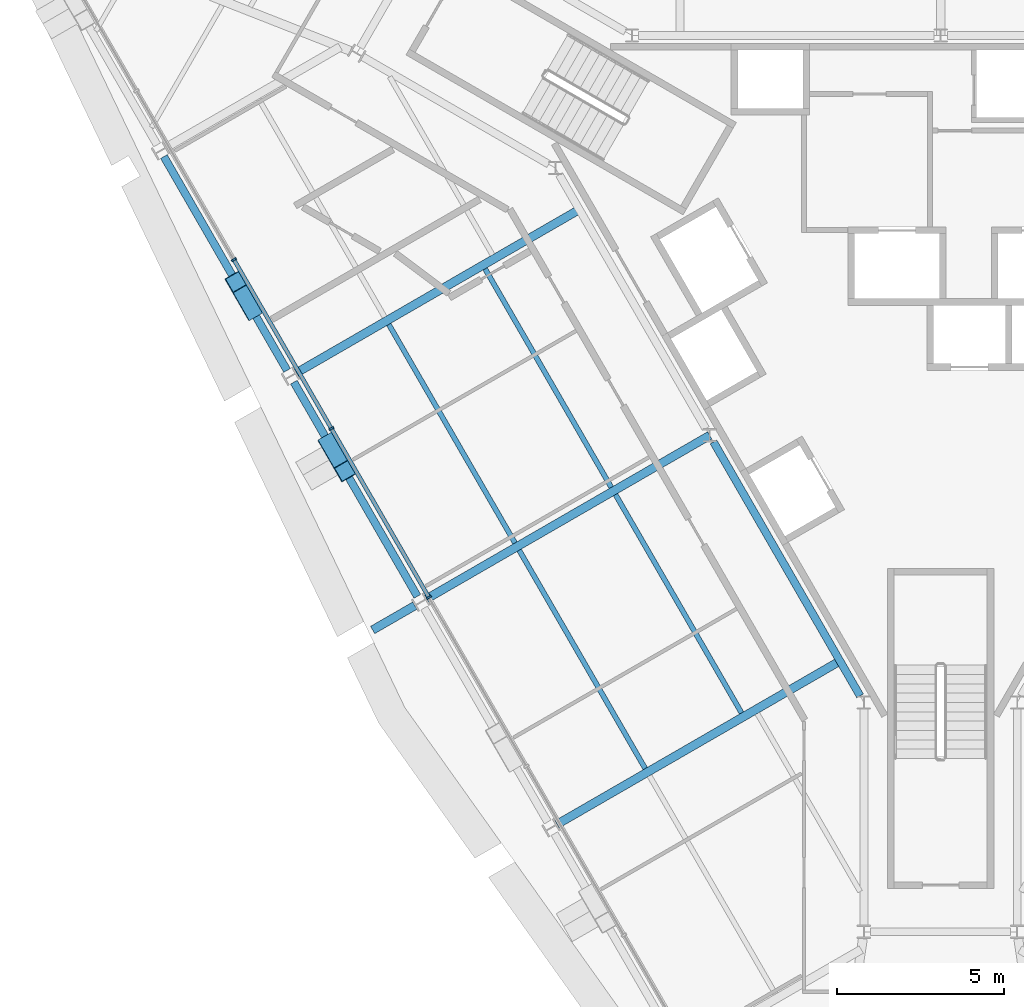
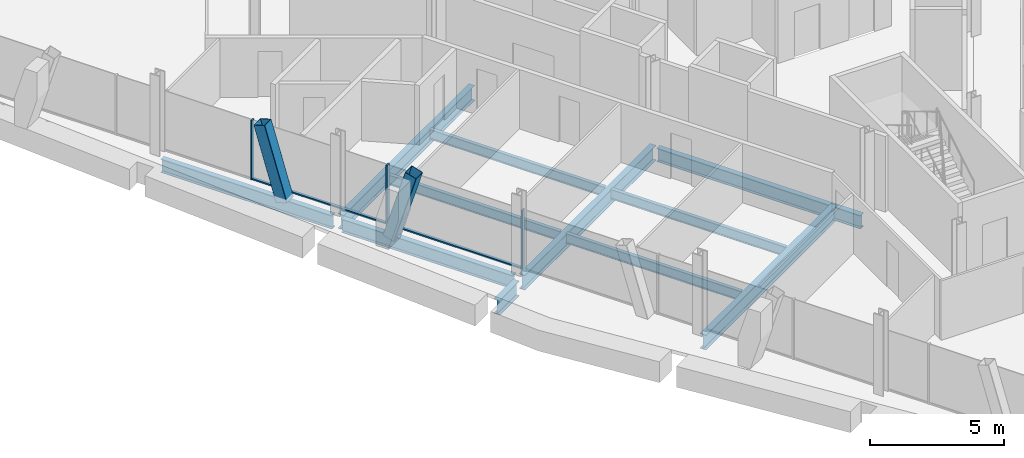
# One storey, part 4 of 17: 11 beams, 7 members, 1 element without a shape of its own.
"""IFC4 building model written with IfcOpenShell, lengths in metres."""

from ifc_helpers import new_model, si_unit, direction, frame, origin, origin_2d, place, context, subcontext, project, spatial, rectangle, hollow_rectangle, i_section, extrude, material, material_profile, profile_set, type_object, element, aggregate, save


model = new_model("IFC4")

# Units and contexts
model_context = context("Model", 3, precision=1e-05, world=origin(), true_north=direction((0.0, 1.0)))
body_context = subcontext(model_context, "Body", "Model", "MODEL_VIEW")
ifc_project = project(units=[si_unit("LENGTHUNIT", "METRE"), si_unit("AREAUNIT", "SQUARE_METRE"), si_unit("VOLUMEUNIT", "CUBIC_METRE"), si_unit("PLANEANGLEUNIT", "RADIAN"), si_unit("MASSUNIT", "GRAM", prefix="KILO")], contexts=[model_context])

# Site, building, storey
site_placement = place(None, origin())
site = spatial("IfcSite", under=ifc_project, at=site_placement, CompositionType="ELEMENT")
building_placement = place(site_placement, origin())
building = spatial("IfcBuilding", under=site, at=building_placement, Name="Verrane Prism Tower", CompositionType="ELEMENT")
storey_placement = place(building_placement, frame((0.0, 0.0, 182.10009765625)))
storey = spatial("IfcBuildingStorey", under=building, at=storey_placement, Name="L45", CompositionType="ELEMENT", Elevation=182.10009765625)

# Beam
ifc_material_1 = material(Name="Steel A992", Category="steel")
ifc_material_profile_1 = material_profile(ifc_material_1, i_section(OverallWidth=0.23046875, OverallDepth=0.6171875, WebThickness=0.01318359375, FlangeThickness=0.022216796875, FilletRadius=0.012939453125, at=origin_2d()), Name="W24x94")
ifc_profile_set_1 = profile_set([ifc_material_profile_1], Name="Steel A992")
beam_type_1 = type_object("IfcBeamType", Name="Core ring girder W24x94", PredefinedType="BEAM", material=ifc_profile_set_1)
beam_1_placement = place(storey_placement, frame((-6.81494140625, -4.199462890625, -0.55859375), z_axis=(0.499988222896, -0.866032203192, 0.0), x_axis=(0.866032203192, 0.499988222896, 0.0)))
element("IfcBeam", 1, at=beam_1_placement, inside=storey, type_object=beam_type_1, Name="Core ring girder L45", PredefinedType="BEAM", context=body_context, shape_type="SweptSolid", body=[
    extrude(i_section(OverallWidth=0.23046875, OverallDepth=0.6171875, WebThickness=0.01318359375, FlangeThickness=0.022216796875, FilletRadius=0.012939453125, at=origin_2d()), origin(), (0.0, 0.0, 1.0), 8.800048828125),
])

# Members
ifc_material_2 = material(Name="Steel A500 Grade C", Category="steel")
ifc_material_profile_2 = material_profile(ifc_material_2, hollow_rectangle(XDim=0.508056640625, YDim=0.508056640625, WallThickness=0.01904296875, InnerFilletRadius=0.009521484375, OuterFilletRadius=0.028564453125, at=origin_2d()), Name="HSS20x20x3/4")
ifc_profile_set_2 = profile_set([ifc_material_profile_2], Name="Steel A500 Grade C")
member_type_1 = type_object("IfcMemberType", Name="Facade brace HSS20x20x3/4", PredefinedType="BRACE", material=ifc_profile_set_2)
member_1_placement = place(storey_placement, frame((-20.662109375, -0.22998046875, -0.216796875), z_axis=(-0.144204540369, 0.250310416675, 0.957366045899), x_axis=(-0.866493065249, -0.499189110333, 0.0)))
element("IfcMember", 2, at=member_1_placement, inside=storey, type_object=member_type_1, Name="Facade brace SW1 L45", PredefinedType="BRACE", context=body_context, shape_type="SweptSolid", body=[
    extrude(hollow_rectangle(XDim=0.508056640625, YDim=0.508056640625, WallThickness=0.01904296875, InnerFilletRadius=0.009521484375, OuterFilletRadius=0.028564453125, at=origin_2d()), origin(), (0.0, 0.0, 1.0), 3.338623046875),
])
member_2_placement = place(storey_placement, frame((-18.354736328125, -4.233154296875, -0.216796875), z_axis=(0.144480360472, -0.250573985495, 0.95725550572), x_axis=(0.866307605918, 0.499510892703, 0.0)))
element("IfcMember", 3, at=member_2_placement, inside=storey, type_object=member_type_1, Name="Facade brace SW2 L45", PredefinedType="BRACE", context=body_context, shape_type="SweptSolid", body=[
    extrude(hollow_rectangle(XDim=0.508056640625, YDim=0.508056640625, WallThickness=0.01904296875, InnerFilletRadius=0.009521484375, OuterFilletRadius=0.028564453125, at=origin_2d()), origin(), (0.0, 0.0, 1.0), 3.339111328125),
])

# Beams
ifc_material_3 = material(Name="Steel A992", Category="steel")
ifc_material_profile_3 = material_profile(ifc_material_3, i_section(OverallWidth=0.15234375, OverallDepth=0.449462890625, WebThickness=0.007568359375, FlangeThickness=0.0107421875, FilletRadius=0.01025390625, at=origin_2d()), Name="W18x35")
ifc_profile_set_3 = profile_set([ifc_material_profile_3], Name="Steel A992")
beam_type_2 = type_object("IfcBeamType", Name="Floor beam W18x35", PredefinedType="BEAM", material=ifc_profile_set_3)
beam_2_placement = place(storey_placement, frame((-9.883544921875, -5.56005859375, -0.385009765625), z_axis=(-0.499994291072, 0.86602869981, 0.0), x_axis=(-0.86602869981, -0.499994291072, 0.0)))
element("IfcBeam", 4, at=beam_2_placement, inside=storey, type_object=beam_type_2, Name="Floor beam L45", PredefinedType="BEAM", context=body_context, shape_type="SweptSolid", body=[
    extrude(i_section(OverallWidth=0.15234375, OverallDepth=0.449462890625, WebThickness=0.007568359375, FlangeThickness=0.0107421875, FilletRadius=0.01025390625, at=origin_2d()), origin(), (0.0, 0.0, 1.0), 7.56689453125),
])
beam_3_placement = place(storey_placement, frame((-12.7734375, -7.22998046875, -0.385009765625), z_axis=(-0.499999771941, 0.866025535455, 0.0), x_axis=(-0.866025535455, -0.499999771941, 0.0)))
element("IfcBeam", 5, at=beam_3_placement, inside=storey, type_object=beam_type_2, Name="Floor beam L45", PredefinedType="BEAM", context=body_context, shape_type="SweptSolid", body=[
    extrude(i_section(OverallWidth=0.15234375, OverallDepth=0.449462890625, WebThickness=0.007568359375, FlangeThickness=0.0107421875, FilletRadius=0.01025390625, at=origin_2d()), origin(), (0.0, 0.0, 1.0), 7.56982421875),
])
beam_4_placement = place(storey_placement, frame((-5.973876953125, -12.330078125, -0.385009765625), z_axis=(-0.500002782129, 0.866023797515, 0.0), x_axis=(-0.866023797515, -0.500002782129, 0.0)))
element("IfcBeam", 6, at=beam_4_placement, inside=storey, type_object=beam_type_2, Name="Floor beam L45", PredefinedType="BEAM", context=body_context, shape_type="SweptSolid", body=[
    extrude(i_section(OverallWidth=0.15234375, OverallDepth=0.449462890625, WebThickness=0.007568359375, FlangeThickness=0.0107421875, FilletRadius=0.01025390625, at=origin_2d()), origin(), (0.0, 0.0, 1.0), 7.56396484375),
])
beam_5_placement = place(storey_placement, frame((-8.8642578125, -14.00048828125, -0.385009765625), z_axis=(-0.499988806058, 0.866031866513, 0.0), x_axis=(-0.866031866513, -0.499988806058, 0.0)))
element("IfcBeam", 7, at=beam_5_placement, inside=storey, type_object=beam_type_2, Name="Floor beam L45", PredefinedType="BEAM", context=body_context, shape_type="SweptSolid", body=[
    extrude(i_section(OverallWidth=0.15234375, OverallDepth=0.449462890625, WebThickness=0.007568359375, FlangeThickness=0.0107421875, FilletRadius=0.01025390625, at=origin_2d()), origin(), (0.0, 0.0, 1.0), 7.564208984375),
])

# Curtain wall, members
ifc_material_4 = material(Name="Aluminium framed insulated glazing", Category="aluminium")
curtain_wall_type = type_object("IfcCurtainWallType", Name="Curtain wall CW-B 5600 module", PredefinedType="NOTDEFINED", material=ifc_material_4)
curtain_wall_placement = place(storey_placement, origin())
curtain_wall = element("IfcCurtainWall", 8, at=curtain_wall_placement, inside=storey, type_object=curtain_wall_type, Name="Glazed curtain wall south-west face L45", PredefinedType="NOTDEFINED")
ifc_material_5 = material(Name="Aluminium alloy 6063-T6", Category="aluminium")
ifc_material_profile_4 = material_profile(ifc_material_5, rectangle(XDim=0.159912109375, YDim=0.06005859375, at=origin_2d()), Name="Mullion 60x160 aluminium")
ifc_profile_set_4 = profile_set([ifc_material_profile_4], Name="Aluminium alloy 6063-T6")
member_type_2 = type_object("IfcMemberType", Name="Mullion 60x160 aluminium", PredefinedType="MULLION", material=ifc_profile_set_4)
member_3_placement = place(storey_placement, frame((-21.20751953125, 1.270751953125, 0.0), z_axis=(0.0, 0.0, 1.0), x_axis=(0.866025734201, 0.499999427701, 0.0)))
member_3 = element("IfcMember", 9, at=member_3_placement, type_object=member_type_2, Name="CW44.4 mullion 3", PredefinedType="MULLION", context=body_context, shape_type="SweptSolid", body=[
    extrude(rectangle(XDim=0.159912109375, YDim=0.06005859375, at=origin_2d()), origin(), (0.0, 0.0, 1.0), 2.712890625),
])
member_4_placement = place(storey_placement, frame((-18.281494140625, -3.79736328125, 0.0), z_axis=(0.0, 0.0, 1.0), x_axis=(0.866025734201, 0.499999427701, 0.0)))
member_4 = element("IfcMember", 10, at=member_4_placement, type_object=member_type_2, Name="CW44.4 mullion 4", PredefinedType="MULLION", context=body_context, shape_type="SweptSolid", body=[
    extrude(rectangle(XDim=0.159912109375, YDim=0.06005859375, at=origin_2d()), origin(), (0.0, 0.0, 1.0), 2.712890625),
])
member_5_placement = place(storey_placement, frame((-15.35546875, -8.865478515625, 0.0), z_axis=(0.0, 0.0, 1.0), x_axis=(0.866025734201, 0.499999427701, 0.0)))
member_5 = element("IfcMember", 11, at=member_5_placement, type_object=member_type_2, Name="CW44.4 mullion 5", PredefinedType="MULLION", context=body_context, shape_type="SweptSolid", body=[
    extrude(rectangle(XDim=0.159912109375, YDim=0.06005859375, at=origin_2d()), origin(), (0.0, 0.0, 1.0), 2.712890625),
])

# Beams
ifc_material_6 = material(Name="Steel A992", Category="steel")
ifc_material_profile_5 = material_profile(ifc_material_6, i_section(OverallWidth=0.25390625, OverallDepth=0.683349609375, WebThickness=0.012451171875, FlangeThickness=0.01904296875, FilletRadius=0.01513671875, at=origin_2d()), Name="W27x94")
ifc_profile_set_5 = profile_set([ifc_material_profile_5], Name="Steel A992")
beam_type_3 = type_object("IfcBeamType", Name="Radial girder W27x94", PredefinedType="BEAM", material=ifc_profile_set_5)
beam_6_placement = place(storey_placement, frame((-19.32958984375, -2.1259765625, -0.561767578125), z_axis=(0.866018006425, 0.500012812384, 0.0), x_axis=(-0.500012812384, 0.866018006425, 0.0)))
element("IfcBeam", 12, at=beam_6_placement, inside=storey, type_object=beam_type_3, Name="Radial girder L45", PredefinedType="BEAM", context=body_context, shape_type="SweptSolid", body=[
    extrude(i_section(OverallWidth=0.25390625, OverallDepth=0.683349609375, WebThickness=0.012451171875, FlangeThickness=0.01904296875, FilletRadius=0.01513671875, at=origin_2d()), origin(), (0.0, 0.0, 1.0), 9.801513671875),
])
beam_7_placement = place(storey_placement, frame((-15.419677734375, -8.906005859375, -0.561767578125), z_axis=(0.866029684684, 0.499992585192, 0.0), x_axis=(-0.499992585192, 0.866029684684, 0.0)))
element("IfcBeam", 13, at=beam_7_placement, inside=storey, type_object=beam_type_3, Name="Radial girder L45", PredefinedType="BEAM", context=body_context, shape_type="SweptSolid", body=[
    extrude(i_section(OverallWidth=0.25390625, OverallDepth=0.683349609375, WebThickness=0.012451171875, FlangeThickness=0.01904296875, FilletRadius=0.01513671875, at=origin_2d()), origin(), (0.0, 0.0, 1.0), 9.805419921875),
])
beam_8_placement = place(storey_placement, frame((-11.509521484375, -15.67578125, -0.561767578125), z_axis=(0.866024680886, 0.500001252094, 0.0), x_axis=(-0.500001252094, 0.866024680886, 0.0)))
element("IfcBeam", 14, at=beam_8_placement, inside=storey, type_object=beam_type_3, Name="Radial girder L45", PredefinedType="BEAM", context=body_context, shape_type="SweptSolid", body=[
    extrude(i_section(OverallWidth=0.25390625, OverallDepth=0.683349609375, WebThickness=0.012451171875, FlangeThickness=0.01904296875, FilletRadius=0.01513671875, at=origin_2d()), origin(), (0.0, 0.0, 1.0), 9.8037109375),
])
beam_9_placement = place(storey_placement, frame((-15.77685546875, -9.112060546875, -0.561767578125), z_axis=(-0.866057765686, -0.499943943352, 0.0), x_axis=(0.499943943352, -0.866057765686, 0.0)))
element("IfcBeam", 15, at=beam_9_placement, inside=storey, type_object=beam_type_3, Name="Cantilever girder L45", PredefinedType="BEAM", context=body_context, shape_type="SweptSolid", body=[
    extrude(i_section(OverallWidth=0.25390625, OverallDepth=0.683349609375, WebThickness=0.012451171875, FlangeThickness=0.01904296875, FilletRadius=0.01513671875, at=origin_2d()), origin(), (0.0, 0.0, 1.0), 1.463134765625),
])
ifc_material_7 = material(Name="Steel A992", Category="steel")
ifc_material_profile_6 = material_profile(ifc_material_7, i_section(OverallWidth=0.23046875, OverallDepth=0.6171875, WebThickness=0.01318359375, FlangeThickness=0.022216796875, FilletRadius=0.012939453125, at=origin_2d()), Name="W24x94")
ifc_profile_set_6 = profile_set([ifc_material_profile_6], Name="Steel A992")
beam_type_4 = type_object("IfcBeamType", Name="Spandrel beam W24x94", PredefinedType="SPANDREL", material=ifc_profile_set_6)
beam_10_placement = place(storey_placement, frame((-23.30859375, 4.364013671875, -0.46875), z_axis=(0.499174476851, -0.866501495475, 0.0), x_axis=(0.866501495475, 0.499174476851, 0.0)))
element("IfcBeam", 16, at=beam_10_placement, inside=storey, type_object=beam_type_4, Name="Spandrel beam L45", PredefinedType="SPANDREL", context=body_context, shape_type="SweptSolid", body=[
    extrude(i_section(OverallWidth=0.23046875, OverallDepth=0.6171875, WebThickness=0.01318359375, FlangeThickness=0.022216796875, FilletRadius=0.012939453125, at=origin_2d()), origin(), (0.0, 0.0, 1.0), 7.40673828125),
])
beam_11_placement = place(storey_placement, frame((-19.408447265625, -2.406005859375, -0.46875), z_axis=(0.499579081508, -0.86626828484, 0.0), x_axis=(0.86626828484, 0.499579081508, 0.0)))
element("IfcBeam", 17, at=beam_11_placement, inside=storey, type_object=beam_type_4, Name="Spandrel beam L45", PredefinedType="SPANDREL", context=body_context, shape_type="SweptSolid", body=[
    extrude(i_section(OverallWidth=0.23046875, OverallDepth=0.6171875, WebThickness=0.01318359375, FlangeThickness=0.022216796875, FilletRadius=0.012939453125, at=origin_2d()), origin(), (0.0, 0.0, 1.0), 7.42041015625),
])

# Member
ifc_material_8 = material(Name="Aluminium alloy 6063-T6", Category="aluminium")
ifc_material_profile_7 = material_profile(ifc_material_8, rectangle(XDim=0.1201171875, YDim=0.06005859375, at=origin_2d()), Name="Transom 60x120 aluminium")
ifc_profile_set_7 = profile_set([ifc_material_profile_7], Name="Aluminium alloy 6063-T6")
member_type_3 = type_object("IfcMemberType", Name="Transom 60x120 aluminium", PredefinedType="USERDEFINED", material=ifc_profile_set_7)
member_6_placement = place(storey_placement, frame((-21.192626953125, 1.24462890625, 0.02978515625), z_axis=(0.499992456128, -0.866029759197, 0.0), x_axis=(0.866029759197, 0.499992456128, 0.0)))
member_6 = element("IfcMember", 18, at=member_6_placement, type_object=member_type_3, Name="CW44.4 transom 3", ObjectType="TRANSOM", PredefinedType="USERDEFINED", context=body_context, shape_type="SweptSolid", body=[
    extrude(rectangle(XDim=0.1201171875, YDim=0.06005859375, at=origin_2d()), origin(), (0.0, 0.0, 1.0), 5.7919921875),
])

member_7_placement = place(storey_placement, frame((-18.2666015625, -3.823486328125, 0.02978515625), z_axis=(0.499992456128, -0.866029759197, 0.0), x_axis=(0.866029759197, 0.499992456128, 0.0)))
member_7 = element("IfcMember", 19, at=member_7_placement, type_object=member_type_3, Name="CW44.4 transom 4", ObjectType="TRANSOM", PredefinedType="USERDEFINED", context=body_context, shape_type="SweptSolid", body=[
    extrude(rectangle(XDim=0.1201171875, YDim=0.06005859375, at=origin_2d()), origin(), (0.0, 0.0, 1.0), 5.7919921875),
])

aggregate(curtain_wall, [member_3, member_4, member_5, member_6, member_7])

save(model, "model.ifc")
